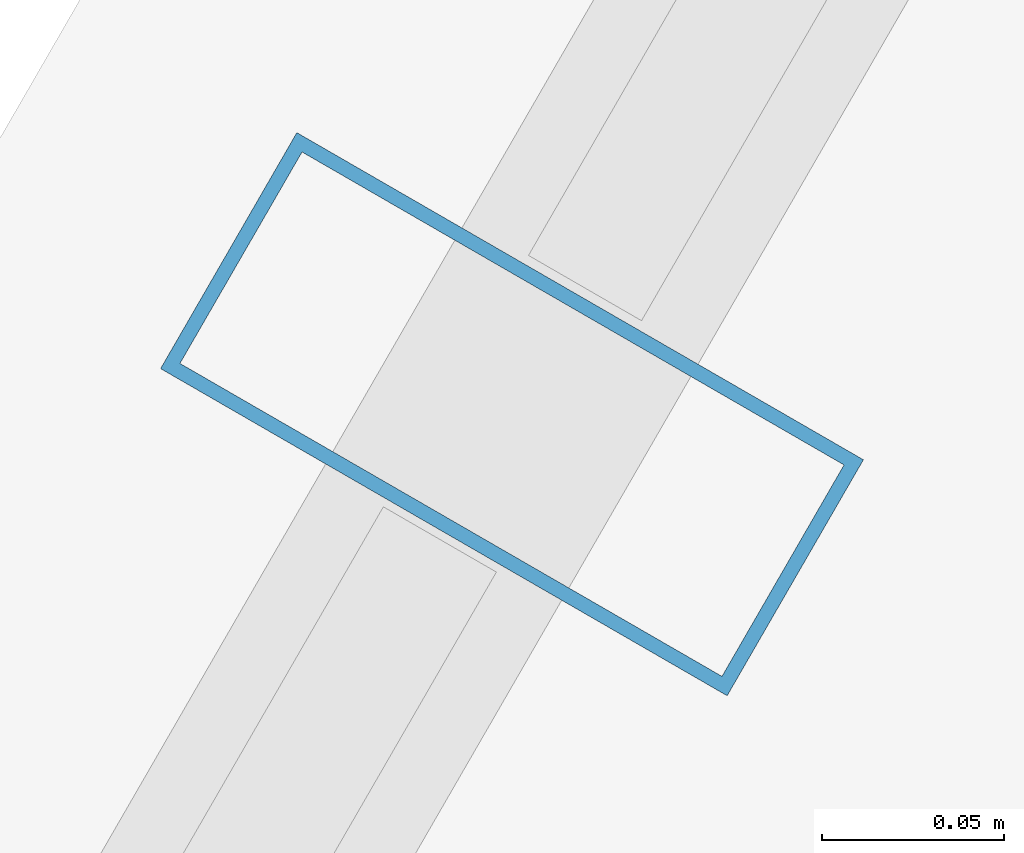
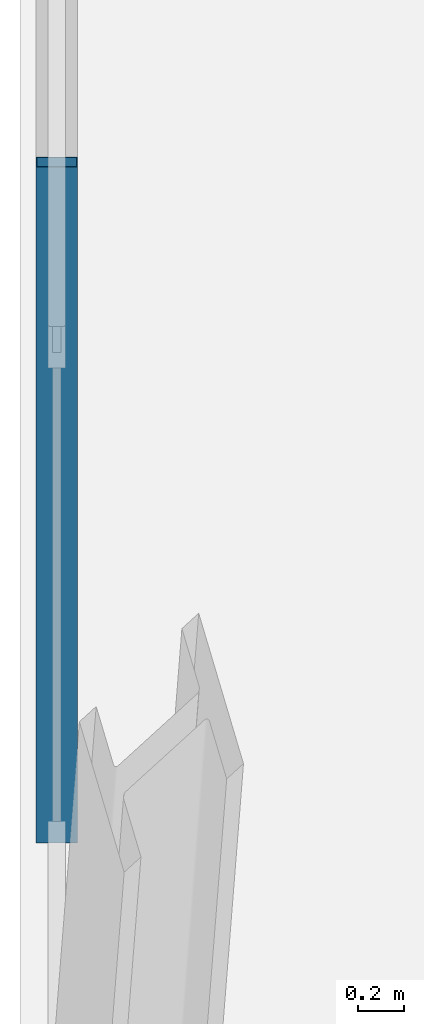
# One storey, part 13 of 32: 1 member, 1 element without a shape of its own.
"""IFC4 building model written with IfcOpenShell, lengths in metres."""

from ifc_helpers import new_model, si_unit, direction, frame, origin, origin_2d, place, context, subcontext, project, spatial, hollow_rectangle, extrude, material, layer, layer_set, material_profile, profile_set, type_object, element, aggregate, save


model = new_model("IFC4")

# Units and contexts
model_context = context("Model", 3, precision=1e-05, world=origin(), true_north=direction((0.0, 1.0)))
body_context = subcontext(model_context, "Body", "Model", "MODEL_VIEW")
ifc_project = project(units=[si_unit("LENGTHUNIT", "METRE"), si_unit("AREAUNIT", "SQUARE_METRE"), si_unit("VOLUMEUNIT", "CUBIC_METRE"), si_unit("PLANEANGLEUNIT", "RADIAN"), si_unit("MASSUNIT", "GRAM", prefix="KILO")], contexts=[model_context])

# Site, building, storey
site_placement = place(None, origin())
site = spatial("IfcSite", under=ifc_project, at=site_placement, CompositionType="ELEMENT")
building_placement = place(site_placement, origin())
building = spatial("IfcBuilding", under=site, at=building_placement, Name="Ndaravel Arena Tower", CompositionType="ELEMENT")
storey_placement = place(building_placement, frame((0.0, 0.0, 66.39990234375)))
storey = spatial("IfcBuildingStorey", under=building, at=storey_placement, Name="L14", CompositionType="ELEMENT", Elevation=66.39990234375)

# Curtain wall, member
ifc_material_1 = material(Name="Aluminium", Category="aluminium")
ifc_layer = layer(ifc_material_1, 0.179931640625)
ifc_layer_set = layer_set([ifc_layer], Name="Aluminium")
curtain_wall_type = type_object("IfcCurtainWallType", Name="CW-SYS-03", PredefinedType="NOTDEFINED", material=ifc_layer_set)
curtain_wall_placement = place(storey_placement, origin())
curtain_wall = element("IfcCurtainWall", 1, at=curtain_wall_placement, inside=storey, type_object=curtain_wall_type, Name="L14 Faceted Crystal Curtain Wall CW-L14-E05", PredefinedType="NOTDEFINED")
ifc_material_2 = material(Name="Aluminium", Category="aluminium")
ifc_material_profile = material_profile(ifc_material_2, hollow_rectangle(XDim=0.074951171875, YDim=0.179931640625, WallThickness=0.00390625, at=origin_2d()), Name="CW MULLION 75x180x4")
ifc_profile_set = profile_set([ifc_material_profile], Name="Aluminium")
member_type = type_object("IfcMemberType", Name="MEM-CW-MUL180", PredefinedType="MULLION", material=ifc_profile_set)
member_placement = place(storey_placement, frame((27.500244140625, 34.16748046875, 0.0), z_axis=(0.0, 0.0, 1.0), x_axis=(-0.5, -0.866025403784, 0.0)))
member = element("IfcMember", 2, at=member_placement, type_object=member_type, Name="CW-L14-E05 Mullion 03", PredefinedType="MULLION", context=body_context, shape_type="SweptSolid", body=[
    extrude(hollow_rectangle(XDim=0.074951171875, YDim=0.179931640625, WallThickness=0.00390625, at=origin_2d()), origin(), (0.0, 0.0, 1.0), 3.580078125),
])
aggregate(curtain_wall, [member])

save(model, "model.ifc")
